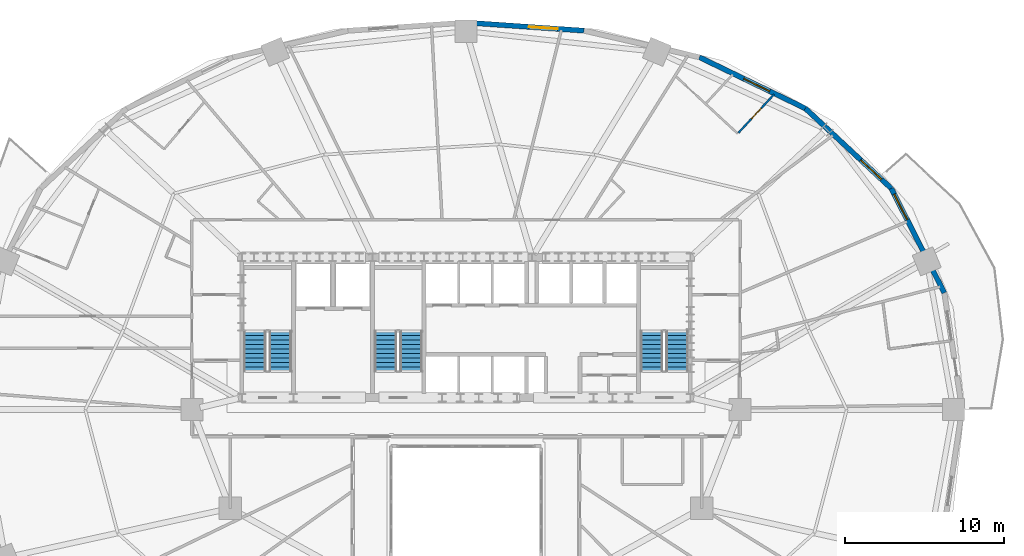
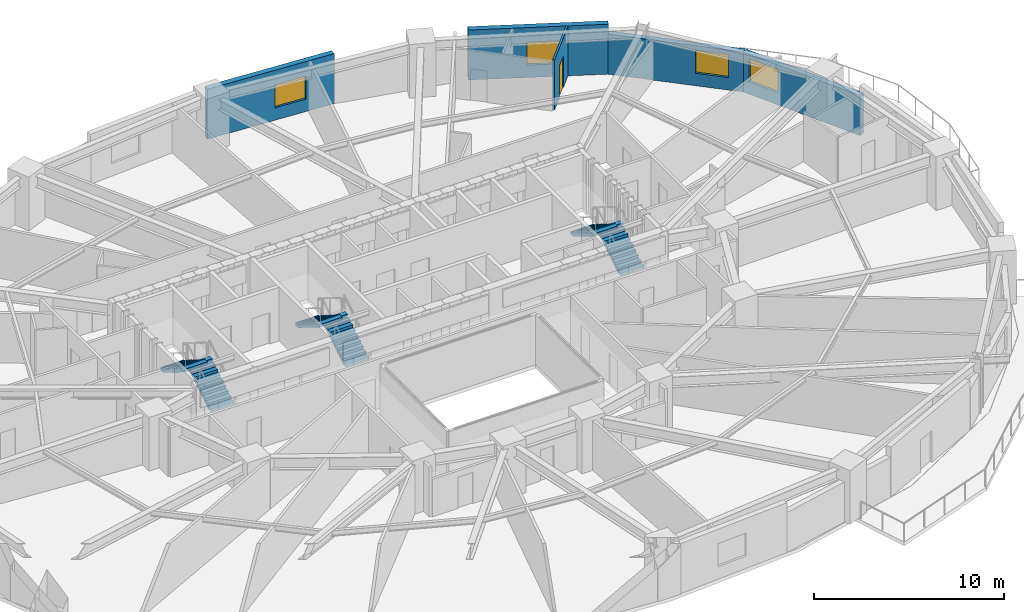
# One storey, part 13 of 17: 6 stair flights, 5 walls, 4 windows, 1 door, 5 openings, 3 elements without a shape of their own.
"""IFC4 building model written with IfcOpenShell, lengths in metres."""

from ifc_helpers import new_model, si_unit, direction, frame, frame_2d, origin, place, context, subcontext, project, spatial, polyline, rectangle, outline, extrude, material, layer, layer_set, type_object, element, fill, aggregate, save


model = new_model("IFC4")

# Units and contexts
model_context = context("Model", 3, precision=1e-05, world=origin(), true_north=direction((0.0, 1.0)))
body_context = subcontext(model_context, "Body", "Model", "MODEL_VIEW")
ifc_project = project(units=[si_unit("LENGTHUNIT", "METRE"), si_unit("AREAUNIT", "SQUARE_METRE"), si_unit("VOLUMEUNIT", "CUBIC_METRE"), si_unit("PLANEANGLEUNIT", "RADIAN"), si_unit("MASSUNIT", "GRAM", prefix="KILO")], contexts=[model_context])

# Site, building, storey
site_placement = place(None, origin())
site = spatial("IfcSite", under=ifc_project, at=site_placement, CompositionType="ELEMENT")
building_placement = place(site_placement, origin())
building = spatial("IfcBuilding", under=site, at=building_placement, Name="Haldorwick Loom Tower", CompositionType="ELEMENT")
storey_placement = place(building_placement, frame((0.0, 0.0, 37.800048828125)))
storey = spatial("IfcBuildingStorey", under=building, at=storey_placement, Name="L09", CompositionType="ELEMENT", Elevation=37.800048828125)

# Wall, opening, window
ifc_material_1 = material(Name="Pressed Clay Face Brick and Insulated Masonry Backup Assembly", Category="masonry")
ifc_layer_1 = layer(ifc_material_1, 0.320068359375, Name="Pressed Clay Face Brick and Insulated Masonry Backup Assembly", Category="masonry")
ifc_layer_set_1 = layer_set([ifc_layer_1], Name="Pressed Clay Face Brick and Insulated Masonry Backup Assembly")
wall_type_1 = type_object("IfcWallType", Name="ARC-WL-EXT320", PredefinedType="STANDARD", material=ifc_layer_set_1)
wall_1_placement = place(storey_placement, frame((66.021728515625, 33.320556640625, 0.0), z_axis=(0.0, 0.0, 1.0), x_axis=(-0.452950855928, 0.891535485617, 0.0)))
wall_1 = element("IfcWall", 1, at=wall_1_placement, inside=storey, type_object=wall_type_1, Name="L09 Brick Pier and Spandrel Wall 2", PredefinedType="STANDARD", context=body_context, shape_type="SweptSolid", body=[
    extrude(rectangle(XDim=7.3583984375, YDim=0.320068359375, at=frame_2d((3.67919921875, 0.0))), origin(), (0.0, 0.0, 1.0), 2.56884765625),
])
opening_1_placement = place(wall_1_placement, frame((5.158203125, 0.0, 0.800048828125)))
opening_1 = element("IfcOpeningElement", 2, at=opening_1_placement, cuts=wall_1, Name="Opening W-01", PredefinedType="OPENING", context=body_context, shape_type="SweptSolid", body=[
    extrude(rectangle(XDim=1.800048828125, YDim=1.47998046875, at=frame_2d((0.89990234375, 0.739990234375))), frame((0.0, 0.169921875, 0.0), z_axis=(0.0, -1.0, 0.0), x_axis=(1.0, 0.0, 0.0)), (0.0, 0.0, 1.0), 0.340087890625),
])
ifc_material_2 = material(Name="Triple-Glazed Low-E Argon Insulated Glazing Unit", Category="glass")
window_type = type_object("IfcWindowType", Name="ARC-WIN-W180", PartitioningType="SINGLE_PANEL", PredefinedType="WINDOW", material=ifc_material_2)
window_1_placement = place(opening_1_placement, origin())
window_1 = element("IfcWindow", 3, at=window_1_placement, inside=storey, type_object=window_type, Name="L09 Deep-Set Zone 7A Window 2", OverallHeight=1.47998046875, OverallWidth=1.800048828125, PartitioningType="SINGLE_PANEL", PredefinedType="WINDOW", context=body_context, shape_type="SweptSolid", body=[
    extrude(rectangle(XDim=1.800048828125, YDim=1.47998046875, at=frame_2d((0.89990234375, 0.739990234375))), frame((0.0, 0.030029296875, 0.0), z_axis=(0.0, -1.0, 0.0), x_axis=(1.0, 0.0, 0.0)), (0.0, 0.0, 1.0), 0.06005859375),
])
fill(opening_1, window_1)

wall_2_placement = place(storey_placement, frame((62.688720703125, 39.880859375, 0.0), z_axis=(0.0, 0.0, 1.0), x_axis=(-0.73176101237, 0.681561311091, 0.0)))
wall_2 = element("IfcWall", 4, at=wall_2_placement, inside=storey, type_object=wall_type_1, Name="L09 Brick Pier and Spandrel Wall 3", PredefinedType="STANDARD", context=body_context, shape_type="SweptSolid", body=[
    extrude(rectangle(XDim=7.3583984375, YDim=0.320068359375, at=frame_2d((3.67919921875, 0.0))), origin(), (0.0, 0.0, 1.0), 2.56884765625),
])
opening_2_placement = place(wall_2_placement, frame((0.82177734375, 0.0, 0.800048828125)))
opening_2 = element("IfcOpeningElement", 5, at=opening_2_placement, cuts=wall_2, Name="Opening W-01", PredefinedType="OPENING", context=body_context, shape_type="SweptSolid", body=[
    extrude(rectangle(XDim=1.800048828125, YDim=1.47998046875, at=frame_2d((0.89990234375, 0.739990234375))), frame((0.0, 0.169921875, 0.0), z_axis=(0.0, -1.0, 0.0), x_axis=(1.0, 0.0, 0.0)), (0.0, 0.0, 1.0), 0.340087890625),
])
window_2_placement = place(opening_2_placement, origin())
window_2 = element("IfcWindow", 6, at=window_2_placement, inside=storey, type_object=window_type, Name="L09 Deep-Set Zone 7A Window 3", OverallHeight=1.47998046875, OverallWidth=1.800048828125, PartitioningType="SINGLE_PANEL", PredefinedType="WINDOW", context=body_context, shape_type="SweptSolid", body=[
    extrude(rectangle(XDim=1.800048828125, YDim=1.47998046875, at=frame_2d((0.89990234375, 0.739990234375))), frame((0.0, 0.030029296875, 0.0), z_axis=(0.0, -1.0, 0.0), x_axis=(1.0, 0.0, 0.0)), (0.0, 0.0, 1.0), 0.06005859375),
])
fill(opening_2, window_2)

wall_3_placement = place(storey_placement, frame((57.30419921875, 44.89599609375, 0.0), z_axis=(0.0, 0.0, 1.0), x_axis=(-0.900295710431, 0.435278800057, 0.0)))
wall_3 = element("IfcWall", 7, at=wall_3_placement, inside=storey, type_object=wall_type_1, Name="L09 Brick Pier and Spandrel Wall 4", PredefinedType="STANDARD", context=body_context, shape_type="SweptSolid", body=[
    extrude(rectangle(XDim=7.39697265625, YDim=0.320068359375, at=frame_2d((3.698486328125, 0.0))), origin(), (0.0, 0.0, 1.0), 3.2099609375),
])
opening_3_placement = place(wall_3_placement, frame((2.498779296875, 0.0, 0.800048828125)))
opening_3 = element("IfcOpeningElement", 8, at=opening_3_placement, cuts=wall_3, Name="Opening W-01", PredefinedType="OPENING", context=body_context, shape_type="SweptSolid", body=[
    extrude(rectangle(XDim=1.800048828125, YDim=1.47998046875, at=frame_2d((0.89990234375, 0.739990234375))), frame((0.0, 0.169921875, 0.0), z_axis=(0.0, -1.0, 0.0), x_axis=(1.0, 0.0, 0.0)), (0.0, 0.0, 1.0), 0.340087890625),
])
window_3_placement = place(opening_3_placement, origin())
window_3 = element("IfcWindow", 9, at=window_3_placement, inside=storey, type_object=window_type, Name="L09 Deep-Set Zone 7A Window 4", OverallHeight=1.47998046875, OverallWidth=1.800048828125, PartitioningType="SINGLE_PANEL", PredefinedType="WINDOW", context=body_context, shape_type="SweptSolid", body=[
    extrude(rectangle(XDim=1.800048828125, YDim=1.47998046875, at=frame_2d((0.89990234375, 0.739990234375))), frame((0.0, 0.030029296875, 0.0), z_axis=(0.0, -1.0, 0.0), x_axis=(1.0, 0.0, 0.0)), (0.0, 0.0, 1.0), 0.06005859375),
])
fill(opening_3, window_3)

wall_4_placement = place(storey_placement, frame((43.411376953125, 49.780517578125, 0.0), z_axis=(0.0, 0.0, 1.0), x_axis=(-0.997645161917, 0.068586667092, 0.0)))
wall_4 = element("IfcWall", 10, at=wall_4_placement, inside=storey, type_object=wall_type_1, Name="L09 Brick Pier and Spandrel Wall 6", PredefinedType="STANDARD", context=body_context, shape_type="SweptSolid", body=[
    extrude(rectangle(XDim=7.428955078125, YDim=0.320068359375, at=frame_2d((3.71435546875, 0.0))), origin(), (0.0, 0.0, 1.0), 3.2099609375),
])
opening_4_placement = place(wall_4_placement, frame((1.667724609375, 0.0, 0.800048828125)))
opening_4 = element("IfcOpeningElement", 11, at=opening_4_placement, cuts=wall_4, Name="Opening W-01", PredefinedType="OPENING", context=body_context, shape_type="SweptSolid", body=[
    extrude(rectangle(XDim=1.800048828125, YDim=1.47998046875, at=frame_2d((0.89990234375, 0.739990234375))), frame((0.0, 0.169921875, 0.0), z_axis=(0.0, -1.0, 0.0), x_axis=(1.0, 0.0, 0.0)), (0.0, 0.0, 1.0), 0.340087890625),
])
window_4_placement = place(opening_4_placement, origin())
window_4 = element("IfcWindow", 12, at=window_4_placement, inside=storey, type_object=window_type, Name="L09 Deep-Set Zone 7A Window 6", OverallHeight=1.47998046875, OverallWidth=1.800048828125, PartitioningType="SINGLE_PANEL", PredefinedType="WINDOW", context=body_context, shape_type="SweptSolid", body=[
    extrude(rectangle(XDim=1.800048828125, YDim=1.47998046875, at=frame_2d((0.89990234375, 0.739990234375))), frame((0.0, 0.030029296875, 0.0), z_axis=(0.0, -1.0, 0.0), x_axis=(1.0, 0.0, 0.0)), (0.0, 0.0, 1.0), 0.06005859375),
])
fill(opening_4, window_4)

# Wall, opening, door
ifc_material_3 = material(Name="Acoustic Gypsum Stud Assembly STC 55")
ifc_layer_2 = layer(ifc_material_3, 0.1201171875, Name="Acoustic Gypsum Stud Assembly STC 55")
ifc_layer_set_2 = layer_set([ifc_layer_2], Name="Acoustic Gypsum Stud Assembly STC 55")
wall_type_2 = type_object("IfcWallType", Name="ARC-WL-PART120", PredefinedType="PARTITIONING", material=ifc_layer_set_2)
wall_5_placement = place(storey_placement, frame((53.096435546875, 43.36572265625, 0.0), z_axis=(0.0, 0.0, 1.0), x_axis=(0.679524989398, 0.733652362351, 0.0)))
wall_5 = element("IfcWall", 13, at=wall_5_placement, inside=storey, type_object=wall_type_2, Name="L09 Unit 09E Interior Partition", PredefinedType="PARTITIONING", context=body_context, shape_type="SweptSolid", body=[
    extrude(rectangle(XDim=3.2880859375, YDim=0.1201171875, at=frame_2d((1.64404296875, 0.0))), origin(), (0.0, 0.0, 1.0), 3.195068359375),
])
opening_5_placement = place(wall_5_placement, frame((1.194091796875, 0.0, 0.0)))
opening_5 = element("IfcOpeningElement", 14, at=opening_5_placement, cuts=wall_5, Name="Opening D-IN90", PredefinedType="OPENING", context=body_context, shape_type="SweptSolid", body=[
    extrude(rectangle(XDim=0.89990234375, YDim=2.0400390625, at=frame_2d((0.449951171875, 1.02001953125))), frame((0.0, 0.070068359375, 0.0), z_axis=(0.0, -1.0, 0.0), x_axis=(1.0, 0.0, 0.0)), (0.0, 0.0, 1.0), 0.14013671875),
])
ifc_material_4 = material(Name="Solid Core Birch Architectural Door")
door_type = type_object("IfcDoorType", Name="ARC-DR-INT90", OperationType="NOTDEFINED", PredefinedType="DOOR", material=ifc_material_4)
door_placement = place(opening_5_placement, origin())
door = element("IfcDoor", 15, at=door_placement, inside=storey, type_object=door_type, Name="L09 Unit 09E Bedroom 1 to Unit 09E Kitchen and Living Room Door", OperationType="SINGLE_SWING_RIGHT", OverallHeight=2.0400390625, OverallWidth=0.89990234375, PredefinedType="DOOR", context=body_context, shape_type="SweptSolid", body=[
    extrude(rectangle(XDim=0.89990234375, YDim=2.0400390625, at=frame_2d((0.449951171875, 1.02001953125))), frame((0.0, 0.02490234375, 0.0), z_axis=(0.0, -1.0, 0.0), x_axis=(1.0, 0.0, 0.0)), (0.0, 0.0, 1.0), 0.050048828125),
])
fill(opening_5, door)

# Stair, stair flights
ifc_material_5 = material(Name="Concrete C40 (40 MPa)", Category="concrete")
stair_type = type_object("IfcStairType", Name="STR-STR-CORE", PredefinedType="HALF_TURN_STAIR", material=ifc_material_5)
stair_1_placement = place(storey_placement, origin())
stair_1 = element("IfcStair", 16, at=stair_1_placement, inside=storey, type_object=stair_type, Name="L09 Exit Stair ST-01", PredefinedType="HALF_TURN_STAIR")
stair_flight_type = type_object("IfcStairFlightType", Name="STR-STF-1250", PredefinedType="STRAIGHT", material=ifc_material_5)
stair_flight_1_placement = place(storey_placement, frame((24.35009765625, 28.39990234375, 0.0), z_axis=(0.0, 0.0, 1.0), x_axis=(0.0, 1.0, 0.0)))
stair_flight_1 = element("IfcStairFlight", 17, at=stair_flight_1_placement, type_object=stair_flight_type, Name="ST-01 flight 1", NumberOfRisers=10, NumberOfTreads=9, PredefinedType="STRAIGHT", RiserHeight=0.1725, TreadLength=0.28, context=body_context, shape_type="SweptSolid", body=[
    extrude(outline(polyline([(0.0, 0.0), (0.0, 0.172607421875), (0.280029296875, 0.172607421875), (0.280029296875, 0.344970703125), (0.56005859375, 0.344970703125), (0.56005859375, 0.517578125), (0.840087890625, 0.517578125), (0.840087890625, 0.68994140625), (1.1201171875, 0.68994140625), (1.1201171875, 0.862548828125), (1.39990234375, 0.862548828125), (1.39990234375, 1.034912109375), (1.679931640625, 1.034912109375), (1.679931640625, 1.20751953125), (1.9599609375, 1.20751953125), (1.9599609375, 1.3798828125), (2.239990234375, 1.3798828125), (2.239990234375, 1.552490234375), (2.52001953125, 1.552490234375), (2.52001953125, 1.72509765625), (2.52001953125, 1.37646484375), (0.285888671875, 0.0), (0.0, 0.0)])), frame((0.0, 0.699951171875, 0.0), z_axis=(0.0, -1.0, 0.0), x_axis=(1.0, 0.0, 0.0)), (0.0, 0.0, 1.0), 1.39990234375),
])
stair_flight_2_placement = place(storey_placement, frame((22.75, 30.919921875, 1.724853515625), z_axis=(0.0, 0.0, 1.0), x_axis=(0.0, -1.0, 0.0)))
stair_flight_2 = element("IfcStairFlight", 18, at=stair_flight_2_placement, type_object=stair_flight_type, Name="ST-01 flight 2", NumberOfRisers=10, NumberOfTreads=9, PredefinedType="STRAIGHT", RiserHeight=0.1725, TreadLength=0.28, context=body_context, shape_type="SweptSolid", body=[
    extrude(outline(polyline([(0.0, 0.0), (0.0, 0.172607421875), (0.280029296875, 0.172607421875), (0.280029296875, 0.344970703125), (0.56005859375, 0.344970703125), (0.56005859375, 0.517578125), (0.840087890625, 0.517578125), (0.840087890625, 0.68994140625), (1.1201171875, 0.68994140625), (1.1201171875, 0.862548828125), (1.39990234375, 0.862548828125), (1.39990234375, 1.034912109375), (1.679931640625, 1.034912109375), (1.679931640625, 1.20751953125), (1.9599609375, 1.20751953125), (1.9599609375, 1.3798828125), (2.239990234375, 1.3798828125), (2.239990234375, 1.552490234375), (2.52001953125, 1.552490234375), (2.52001953125, 1.72509765625), (2.52001953125, 1.37646484375), (0.285888671875, 0.0), (0.0, 0.0)])), frame((0.0, 0.699951171875, 0.0), z_axis=(0.0, -1.0, 0.0), x_axis=(1.0, 0.0, 0.0)), (0.0, 0.0, 1.0), 1.39990234375),
])
aggregate(stair_1, [stair_flight_1, stair_flight_2])

stair_2_placement = place(storey_placement, origin())
stair_2 = element("IfcStair", 19, at=stair_2_placement, inside=storey, type_object=stair_type, Name="L09 Exit Stair ST-02", PredefinedType="HALF_TURN_STAIR")
stair_flight_3_placement = place(storey_placement, frame((49.25, 28.39990234375, 0.0), z_axis=(0.0, 0.0, 1.0), x_axis=(0.0, 1.0, 0.0)))
stair_flight_3 = element("IfcStairFlight", 20, at=stair_flight_3_placement, type_object=stair_flight_type, Name="ST-02 flight 1", NumberOfRisers=10, NumberOfTreads=9, PredefinedType="STRAIGHT", RiserHeight=0.1725, TreadLength=0.28, context=body_context, shape_type="SweptSolid", body=[
    extrude(outline(polyline([(0.0, 0.0), (0.0, 0.172607421875), (0.280029296875, 0.172607421875), (0.280029296875, 0.344970703125), (0.56005859375, 0.344970703125), (0.56005859375, 0.517578125), (0.840087890625, 0.517578125), (0.840087890625, 0.68994140625), (1.1201171875, 0.68994140625), (1.1201171875, 0.862548828125), (1.39990234375, 0.862548828125), (1.39990234375, 1.034912109375), (1.679931640625, 1.034912109375), (1.679931640625, 1.20751953125), (1.9599609375, 1.20751953125), (1.9599609375, 1.3798828125), (2.239990234375, 1.3798828125), (2.239990234375, 1.552490234375), (2.52001953125, 1.552490234375), (2.52001953125, 1.72509765625), (2.52001953125, 1.37646484375), (0.285888671875, 0.0), (0.0, 0.0)])), frame((0.0, 0.699951171875, 0.0), z_axis=(0.0, -1.0, 0.0), x_axis=(1.0, 0.0, 0.0)), (0.0, 0.0, 1.0), 1.39990234375),
])
stair_flight_4_placement = place(storey_placement, frame((47.64990234375, 30.919921875, 1.724853515625), z_axis=(0.0, 0.0, 1.0), x_axis=(0.0, -1.0, 0.0)))
stair_flight_4 = element("IfcStairFlight", 21, at=stair_flight_4_placement, type_object=stair_flight_type, Name="ST-02 flight 2", NumberOfRisers=10, NumberOfTreads=9, PredefinedType="STRAIGHT", RiserHeight=0.1725, TreadLength=0.28, context=body_context, shape_type="SweptSolid", body=[
    extrude(outline(polyline([(0.0, 0.0), (0.0, 0.172607421875), (0.280029296875, 0.172607421875), (0.280029296875, 0.344970703125), (0.56005859375, 0.344970703125), (0.56005859375, 0.517578125), (0.840087890625, 0.517578125), (0.840087890625, 0.68994140625), (1.1201171875, 0.68994140625), (1.1201171875, 0.862548828125), (1.39990234375, 0.862548828125), (1.39990234375, 1.034912109375), (1.679931640625, 1.034912109375), (1.679931640625, 1.20751953125), (1.9599609375, 1.20751953125), (1.9599609375, 1.3798828125), (2.239990234375, 1.3798828125), (2.239990234375, 1.552490234375), (2.52001953125, 1.552490234375), (2.52001953125, 1.72509765625), (2.52001953125, 1.37646484375), (0.285888671875, 0.0), (0.0, 0.0)])), frame((0.0, 0.699951171875, 0.0), z_axis=(0.0, -1.0, 0.0), x_axis=(1.0, 0.0, 0.0)), (0.0, 0.0, 1.0), 1.39990234375),
])
aggregate(stair_2, [stair_flight_3, stair_flight_4])

stair_3_placement = place(storey_placement, origin())
stair_3 = element("IfcStair", 22, at=stair_3_placement, inside=storey, type_object=stair_type, Name="L09 Exit Stair ST-03", PredefinedType="HALF_TURN_STAIR")
stair_flight_5_placement = place(storey_placement, frame((32.550048828125, 28.39990234375, 0.0), z_axis=(0.0, 0.0, 1.0), x_axis=(0.0, 1.0, 0.0)))
stair_flight_5 = element("IfcStairFlight", 23, at=stair_flight_5_placement, type_object=stair_flight_type, Name="ST-03 flight 1", NumberOfRisers=10, NumberOfTreads=9, PredefinedType="STRAIGHT", RiserHeight=0.1725, TreadLength=0.28, context=body_context, shape_type="SweptSolid", body=[
    extrude(outline(polyline([(0.0, 0.0), (0.0, 0.172607421875), (0.280029296875, 0.172607421875), (0.280029296875, 0.344970703125), (0.56005859375, 0.344970703125), (0.56005859375, 0.517578125), (0.840087890625, 0.517578125), (0.840087890625, 0.68994140625), (1.1201171875, 0.68994140625), (1.1201171875, 0.862548828125), (1.39990234375, 0.862548828125), (1.39990234375, 1.034912109375), (1.679931640625, 1.034912109375), (1.679931640625, 1.20751953125), (1.9599609375, 1.20751953125), (1.9599609375, 1.3798828125), (2.239990234375, 1.3798828125), (2.239990234375, 1.552490234375), (2.52001953125, 1.552490234375), (2.52001953125, 1.72509765625), (2.52001953125, 1.37646484375), (0.285888671875, 0.0), (0.0, 0.0)])), frame((0.0, 0.699951171875, 0.0), z_axis=(0.0, -1.0, 0.0), x_axis=(1.0, 0.0, 0.0)), (0.0, 0.0, 1.0), 1.39990234375),
])
stair_flight_6_placement = place(storey_placement, frame((30.949951171875, 30.919921875, 1.724853515625), z_axis=(0.0, 0.0, 1.0), x_axis=(0.0, -1.0, 0.0)))
stair_flight_6 = element("IfcStairFlight", 24, at=stair_flight_6_placement, type_object=stair_flight_type, Name="ST-03 flight 2", NumberOfRisers=10, NumberOfTreads=9, PredefinedType="STRAIGHT", RiserHeight=0.1725, TreadLength=0.28, context=body_context, shape_type="SweptSolid", body=[
    extrude(outline(polyline([(0.0, 0.0), (0.0, 0.172607421875), (0.280029296875, 0.172607421875), (0.280029296875, 0.344970703125), (0.56005859375, 0.344970703125), (0.56005859375, 0.517578125), (0.840087890625, 0.517578125), (0.840087890625, 0.68994140625), (1.1201171875, 0.68994140625), (1.1201171875, 0.862548828125), (1.39990234375, 0.862548828125), (1.39990234375, 1.034912109375), (1.679931640625, 1.034912109375), (1.679931640625, 1.20751953125), (1.9599609375, 1.20751953125), (1.9599609375, 1.3798828125), (2.239990234375, 1.3798828125), (2.239990234375, 1.552490234375), (2.52001953125, 1.552490234375), (2.52001953125, 1.72509765625), (2.52001953125, 1.37646484375), (0.285888671875, 0.0), (0.0, 0.0)])), frame((0.0, 0.699951171875, 0.0), z_axis=(0.0, -1.0, 0.0), x_axis=(1.0, 0.0, 0.0)), (0.0, 0.0, 1.0), 1.39990234375),
])
aggregate(stair_3, [stair_flight_5, stair_flight_6])

save(model, "model.ifc")
